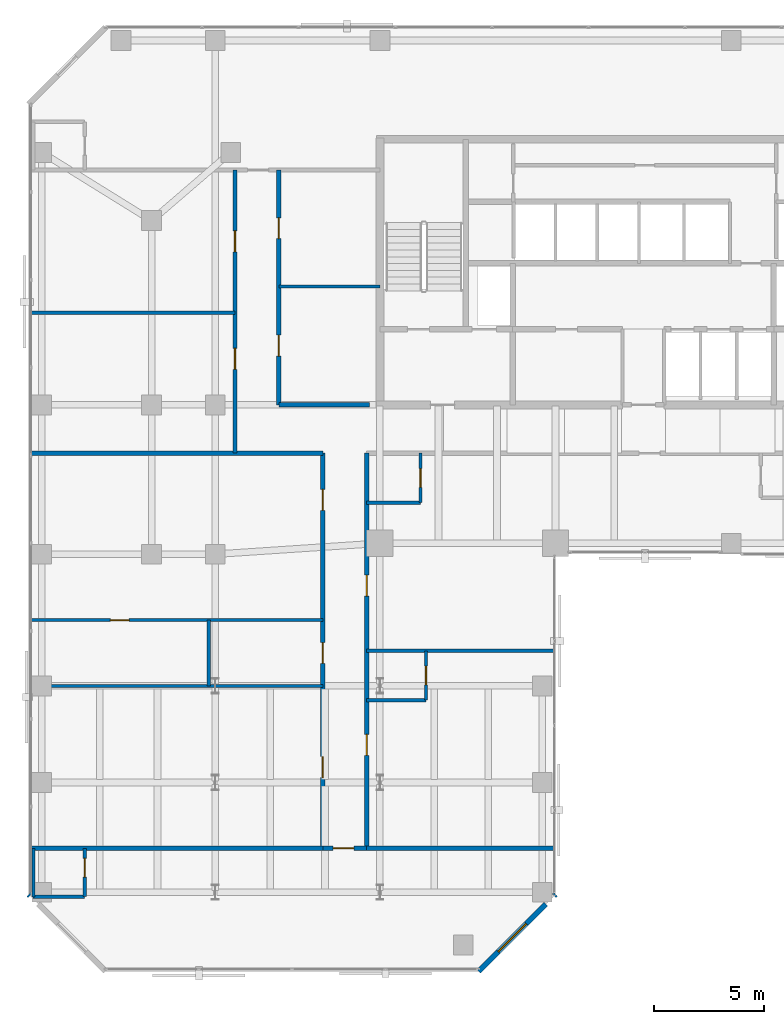
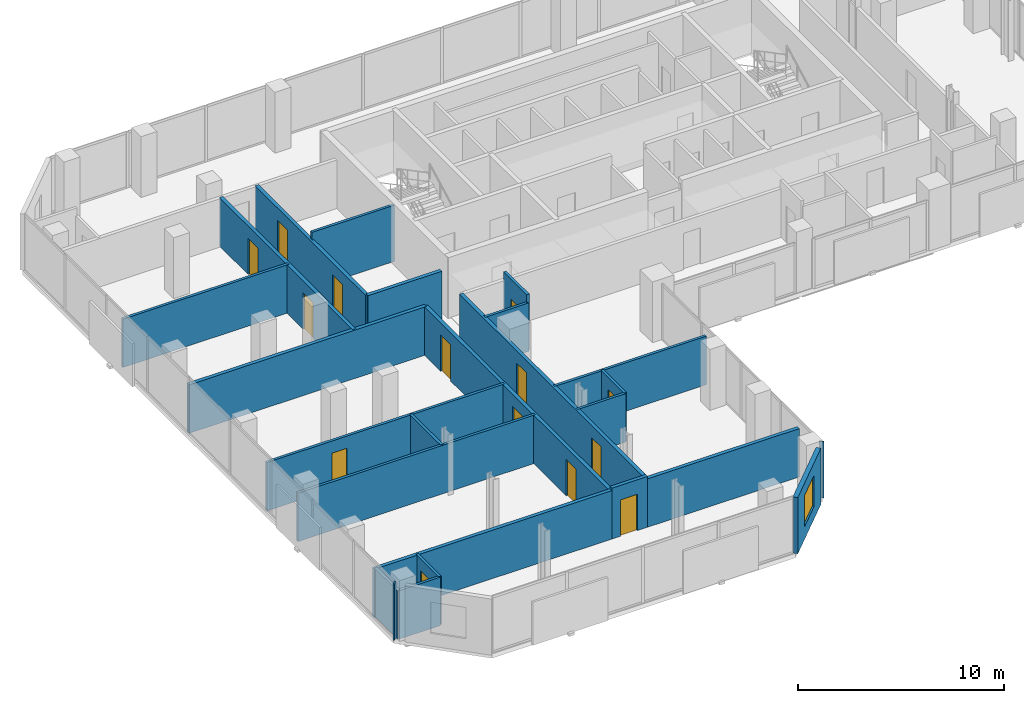
# One storey, part 28 of 33: 25 walls, 14 doors, 1 window, 15 openings.
"""IFC4 building model written with IfcOpenShell, lengths in metres."""

from ifc_helpers import new_model, si_unit, direction, frame, frame_2d, origin, place, context, subcontext, project, spatial, rectangle, extrude, material, layer, layer_set, type_object, element, fill, save


model = new_model("IFC4")

# Units and contexts
model_context = context("Model", 3, precision=1e-05, world=origin(), true_north=direction((0.0, 1.0)))
body_context = subcontext(model_context, "Body", "Model", "MODEL_VIEW")
ifc_project = project(units=[si_unit("LENGTHUNIT", "METRE"), si_unit("AREAUNIT", "SQUARE_METRE"), si_unit("VOLUMEUNIT", "CUBIC_METRE"), si_unit("PLANEANGLEUNIT", "RADIAN"), si_unit("MASSUNIT", "GRAM", prefix="KILO")], contexts=[model_context])

# Site, building, storey
site_placement = place(None, origin())
site = spatial("IfcSite", under=ifc_project, at=site_placement, CompositionType="ELEMENT")
building_placement = place(site_placement, origin())
building = spatial("IfcBuilding", under=site, at=building_placement, Name="Catumbela Crestline Tower", CompositionType="ELEMENT")
storey_placement = place(building_placement, frame((0.0, 0.0, 108.0)))
storey = spatial("IfcBuildingStorey", under=building, at=storey_placement, Name="L27", CompositionType="ELEMENT", Elevation=108.0)

# Walls
ifc_material_1 = material(Name="Acoustic gypsum and mineral-wool partition")
ifc_layer_1 = layer(ifc_material_1, 0.2, Name="Acoustic gypsum and mineral-wool partition")
ifc_layer_set_1 = layer_set([ifc_layer_1], Name="Acoustic gypsum and mineral-wool partition")
wall_type_1 = type_object("IfcWallType", Name="WC-200", PredefinedType="PARTITIONING", material=ifc_layer_set_1)
wall_1_placement = place(storey_placement, frame((0.1, 28.6, 0.0), z_axis=(0.0, 0.0, 1.0), x_axis=(1.0, 0.0, 0.0)))
element("IfcWall", 1, at=wall_1_placement, inside=storey, type_object=wall_type_1, Name="L27 Interior Partition PW-L27-Z2CW-N1", PredefinedType="PARTITIONING", context=body_context, shape_type="SweptSolid", body=[
    extrude(rectangle(XDim=13.3, YDim=0.2, at=frame_2d((6.65, 0.0))), origin(), (0.0, 0.0, 1.0), 2.87),
])
wall_2_placement = place(storey_placement, frame((11.4, 30.8, 0.0), z_axis=(0.0, 0.0, 1.0), x_axis=(1.0, 0.0, 0.0)))
element("IfcWall", 2, at=wall_2_placement, inside=storey, type_object=wall_type_1, Name="L27 Interior Partition PW-L27-Z2CW-N3", PredefinedType="PARTITIONING", context=body_context, shape_type="SweptSolid", body=[
    extrude(rectangle(XDim=4.13, YDim=0.2, at=frame_2d((2.065, 0.0))), origin(), (0.0, 0.0, 1.0), 2.87),
])

# Wall, openings, doors
wall_3_placement = place(storey_placement, frame((13.4, 10.6, 0.0), z_axis=(0.0, 0.0, 1.0), x_axis=(0.0, 1.0, 0.0)))
wall_3 = element("IfcWall", 3, at=wall_3_placement, inside=storey, type_object=wall_type_1, Name="L27 Interior Partition PW-L27-STWC-ENT", PredefinedType="PARTITIONING", context=body_context, shape_type="SweptSolid", body=[
    extrude(rectangle(XDim=18.0, YDim=0.2, at=frame_2d((9.0, 0.0))), origin(), (0.0, 0.0, 1.0), 2.87),
])
opening_1_placement = place(wall_3_placement, frame((8.425, 0.0, 0.0)))
opening_1 = element("IfcOpeningElement", 4, at=opening_1_placement, cuts=wall_3, Name="Opening DF6-095", PredefinedType="OPENING", context=body_context, shape_type="SweptSolid", body=[
    extrude(rectangle(XDim=0.95, YDim=2.15, at=frame_2d((0.475, 1.075))), frame((0.0, 0.11, 0.0), z_axis=(0.0, -1.0, 0.0), x_axis=(1.0, 0.0, 0.0)), (0.0, 0.0, 1.0), 0.22),
])
opening_2_placement = place(wall_3_placement, frame((15.3987, 0.0, 0.0)))
opening_2 = element("IfcOpeningElement", 5, at=opening_2_placement, cuts=wall_3, Name="Opening DF6-095", PredefinedType="OPENING", context=body_context, shape_type="SweptSolid", body=[
    extrude(rectangle(XDim=0.95, YDim=2.15, at=frame_2d((0.475, 1.075))), frame((0.0, 0.11, 0.0), z_axis=(0.0, -1.0, 0.0), x_axis=(1.0, 0.0, 0.0)), (0.0, 0.0, 1.0), 0.22),
])
opening_3_placement = place(wall_3_placement, frame((3.225, 0.0, 0.0)))
opening_3 = element("IfcOpeningElement", 6, at=opening_3_placement, cuts=wall_3, Name="Opening DF6-095", PredefinedType="OPENING", context=body_context, shape_type="SweptSolid", body=[
    extrude(rectangle(XDim=0.95, YDim=2.15, at=frame_2d((0.475, 1.075))), frame((0.0, 0.11, 0.0), z_axis=(0.0, -1.0, 0.0), x_axis=(1.0, 0.0, 0.0)), (0.0, 0.0, 1.0), 0.22),
])
ifc_material_2 = material(Name="Aluminium alloy AW-6060-T66", Category="aluminium")
door_type_1 = type_object("IfcDoorType", Name="DF6-095", OperationType="NOTDEFINED", PredefinedType="DOOR", material=ifc_material_2)
door_1_placement = place(opening_1_placement, origin())
door_1 = element("IfcDoor", 7, at=door_1_placement, inside=storey, type_object=door_type_1, Name="L27 Interior Door DR-L27-STWC-ENT", OperationType="SINGLE_SWING_RIGHT", OverallHeight=2.15, OverallWidth=0.95, PredefinedType="DOOR", context=body_context, shape_type="SweptSolid", body=[
    extrude(rectangle(XDim=0.95, YDim=2.15, at=frame_2d((0.475, 1.075))), frame((0.0, 0.025, 0.0), z_axis=(0.0, -1.0, 0.0), x_axis=(1.0, 0.0, 0.0)), (0.0, 0.0, 1.0), 0.05),
])
fill(opening_1, door_1)
door_2_placement = place(opening_2_placement, origin())
door_2 = element("IfcDoor", 8, at=door_2_placement, inside=storey, type_object=door_type_1, Name="L27 Interior Door DR-L27-HKP-ENT", OperationType="SINGLE_SWING_RIGHT", OverallHeight=2.15, OverallWidth=0.95, PredefinedType="DOOR", context=body_context, shape_type="SweptSolid", body=[
    extrude(rectangle(XDim=0.95, YDim=2.15, at=frame_2d((0.475, 1.075))), frame((0.0, 0.025, 0.0), z_axis=(0.0, -1.0, 0.0), x_axis=(1.0, 0.0, 0.0)), (0.0, 0.0, 1.0), 0.05),
])
fill(opening_2, door_2)
door_3_placement = place(opening_3_placement, origin())
door_3 = element("IfcDoor", 9, at=door_3_placement, inside=storey, type_object=door_type_1, Name="L27 Interior Door DR-L27-WEXT-ENT", OperationType="SINGLE_SWING_LEFT", OverallHeight=2.15, OverallWidth=0.95, PredefinedType="DOOR", context=body_context, shape_type="SweptSolid", body=[
    extrude(rectangle(XDim=0.95, YDim=2.15, at=frame_2d((0.475, 1.075))), frame((0.0, 0.025, 0.0), z_axis=(0.0, -1.0, 0.0), x_axis=(1.0, 0.0, 0.0)), (0.0, 0.0, 1.0), 0.05),
])
fill(opening_3, door_3)

wall_4_placement = place(storey_placement, frame((9.4, 28.6, 0.0), z_axis=(0.0, 0.0, 1.0), x_axis=(0.0, 1.0, 0.0)))
wall_4 = element("IfcWall", 10, at=wall_4_placement, inside=storey, type_object=wall_type_1, Name="L27 Interior Partition PW-L27-Z2OF1-ENT", PredefinedType="PARTITIONING", context=body_context, shape_type="SweptSolid", body=[
    extrude(rectangle(XDim=12.9, YDim=0.2, at=frame_2d((6.45, 0.0))), origin(), (0.0, 0.0, 1.0), 2.87),
])
opening_4_placement = place(wall_4_placement, frame((3.825, 0.0, 0.0)))
opening_4 = element("IfcOpeningElement", 11, at=opening_4_placement, cuts=wall_4, Name="Opening DF6-095", PredefinedType="OPENING", context=body_context, shape_type="SweptSolid", body=[
    extrude(rectangle(XDim=0.95, YDim=2.15, at=frame_2d((0.475, 1.075))), frame((0.0, 0.11, 0.0), z_axis=(0.0, -1.0, 0.0), x_axis=(1.0, 0.0, 0.0)), (0.0, 0.0, 1.0), 0.22),
])
opening_5_placement = place(wall_4_placement, frame((9.175, 0.0, 0.0)))
opening_5 = element("IfcOpeningElement", 12, at=opening_5_placement, cuts=wall_4, Name="Opening DF6-095", PredefinedType="OPENING", context=body_context, shape_type="SweptSolid", body=[
    extrude(rectangle(XDim=0.95, YDim=2.15, at=frame_2d((0.475, 1.075))), frame((0.0, 0.11, 0.0), z_axis=(0.0, -1.0, 0.0), x_axis=(1.0, 0.0, 0.0)), (0.0, 0.0, 1.0), 0.22),
])
door_4_placement = place(opening_4_placement, origin())
door_4 = element("IfcDoor", 13, at=door_4_placement, inside=storey, type_object=door_type_1, Name="L27 Interior Door DR-L27-Z2OF1-ENT", OperationType="SINGLE_SWING_LEFT", OverallHeight=2.15, OverallWidth=0.95, PredefinedType="DOOR", context=body_context, shape_type="SweptSolid", body=[
    extrude(rectangle(XDim=0.95, YDim=2.15, at=frame_2d((0.475, 1.075))), frame((0.0, 0.025, 0.0), z_axis=(0.0, -1.0, 0.0), x_axis=(1.0, 0.0, 0.0)), (0.0, 0.0, 1.0), 0.05),
])
fill(opening_4, door_4)
door_5_placement = place(opening_5_placement, origin())
door_5 = element("IfcDoor", 14, at=door_5_placement, inside=storey, type_object=door_type_1, Name="L27 Interior Door DR-L27-Z2OF2-ENT", OperationType="SINGLE_SWING_RIGHT", OverallHeight=2.15, OverallWidth=0.95, PredefinedType="DOOR", context=body_context, shape_type="SweptSolid", body=[
    extrude(rectangle(XDim=0.95, YDim=2.15, at=frame_2d((0.475, 1.075))), frame((0.0, 0.025, 0.0), z_axis=(0.0, -1.0, 0.0), x_axis=(1.0, 0.0, 0.0)), (0.0, 0.0, 1.0), 0.05),
])
fill(opening_5, door_5)

wall_5_placement = place(storey_placement, frame((11.4, 30.8, 0.0), z_axis=(0.0, 0.0, 1.0), x_axis=(0.0, 1.0, 0.0)))
wall_5 = element("IfcWall", 15, at=wall_5_placement, inside=storey, type_object=wall_type_1, Name="L27 Interior Partition PW-L27-Z2MT1-ENT", PredefinedType="PARTITIONING", context=body_context, shape_type="SweptSolid", body=[
    extrude(rectangle(XDim=10.7, YDim=0.2, at=frame_2d((5.35, 0.0))), origin(), (0.0, 0.0, 1.0), 2.87),
])
opening_6_placement = place(wall_5_placement, frame((2.225, 0.0, 0.0)))
opening_6 = element("IfcOpeningElement", 16, at=opening_6_placement, cuts=wall_5, Name="Opening DF6-095", PredefinedType="OPENING", context=body_context, shape_type="SweptSolid", body=[
    extrude(rectangle(XDim=0.95, YDim=2.15, at=frame_2d((0.475, 1.075))), frame((0.0, 0.11, 0.0), z_axis=(0.0, -1.0, 0.0), x_axis=(1.0, 0.0, 0.0)), (0.0, 0.0, 1.0), 0.22),
])
opening_7_placement = place(wall_5_placement, frame((7.575, 0.0, 0.0)))
opening_7 = element("IfcOpeningElement", 17, at=opening_7_placement, cuts=wall_5, Name="Opening DF6-095", PredefinedType="OPENING", context=body_context, shape_type="SweptSolid", body=[
    extrude(rectangle(XDim=0.95, YDim=2.15, at=frame_2d((0.475, 1.075))), frame((0.0, 0.11, 0.0), z_axis=(0.0, -1.0, 0.0), x_axis=(1.0, 0.0, 0.0)), (0.0, 0.0, 1.0), 0.22),
])
door_6_placement = place(opening_6_placement, origin())
door_6 = element("IfcDoor", 18, at=door_6_placement, inside=storey, type_object=door_type_1, Name="L27 Interior Door DR-L27-Z2MT1-ENT", OperationType="SINGLE_SWING_LEFT", OverallHeight=2.15, OverallWidth=0.95, PredefinedType="DOOR", context=body_context, shape_type="SweptSolid", body=[
    extrude(rectangle(XDim=0.95, YDim=2.15, at=frame_2d((0.475, 1.075))), frame((0.0, 0.025, 0.0), z_axis=(0.0, -1.0, 0.0), x_axis=(1.0, 0.0, 0.0)), (0.0, 0.0, 1.0), 0.05),
])
fill(opening_6, door_6)
door_7_placement = place(opening_7_placement, origin())
door_7 = element("IfcDoor", 19, at=door_7_placement, inside=storey, type_object=door_type_1, Name="L27 Interior Door DR-L27-Z2MT2-ENT", OperationType="SINGLE_SWING_RIGHT", OverallHeight=2.15, OverallWidth=0.95, PredefinedType="DOOR", context=body_context, shape_type="SweptSolid", body=[
    extrude(rectangle(XDim=0.95, YDim=2.15, at=frame_2d((0.475, 1.075))), frame((0.0, 0.025, 0.0), z_axis=(0.0, -1.0, 0.0), x_axis=(1.0, 0.0, 0.0)), (0.0, 0.0, 1.0), 0.05),
])
fill(opening_7, door_7)

# Wall, opening, door
wall_6_placement = place(storey_placement, frame((13.4, 10.6, 0.0), z_axis=(0.0, 0.0, 1.0), x_axis=(1.0, 0.0, 0.0)))
wall_6 = element("IfcWall", 20, at=wall_6_placement, inside=storey, type_object=wall_type_1, Name="L27 Interior Partition PW-L27-STIP-ENT", PredefinedType="PARTITIONING", context=body_context, shape_type="SweptSolid", body=[
    extrude(rectangle(XDim=2.0, YDim=0.2, at=frame_2d((1.0, 0.0))), origin(), (0.0, 0.0, 1.0), 3.01),
])
opening_8_placement = place(wall_6_placement, frame((0.468, 0.0, 0.0)))
opening_8 = element("IfcOpeningElement", 21, at=opening_8_placement, cuts=wall_6, Name="Opening DF6-095", PredefinedType="OPENING", context=body_context, shape_type="SweptSolid", body=[
    extrude(rectangle(XDim=0.95, YDim=2.15, at=frame_2d((0.475, 1.075))), frame((0.0, 0.11, 0.0), z_axis=(0.0, -1.0, 0.0), x_axis=(1.0, 0.0, 0.0)), (0.0, 0.0, 1.0), 0.22),
])
door_8_placement = place(opening_8_placement, origin())
door_8 = element("IfcDoor", 22, at=door_8_placement, inside=storey, type_object=door_type_1, Name="L27 Interior Door DR-L27-STIP-ENT", OperationType="SINGLE_SWING_LEFT", OverallHeight=2.15, OverallWidth=0.95, PredefinedType="DOOR", context=body_context, shape_type="SweptSolid", body=[
    extrude(rectangle(XDim=0.95, YDim=2.15, at=frame_2d((0.475, 1.075))), frame((0.0, 0.025, 0.0), z_axis=(0.0, -1.0, 0.0), x_axis=(1.0, 0.0, 0.0)), (0.0, 0.0, 1.0), 0.05),
])
fill(opening_8, door_8)

# Wall, openings, doors
wall_7_placement = place(storey_placement, frame((15.4, 10.6, 0.0), z_axis=(0.0, 0.0, 1.0), x_axis=(0.0, 1.0, 0.0)))
wall_7 = element("IfcWall", 23, at=wall_7_placement, inside=storey, type_object=wall_type_1, Name="L27 Interior Partition PW-L27-SW1-ENT", PredefinedType="PARTITIONING", context=body_context, shape_type="SweptSolid", body=[
    extrude(rectangle(XDim=18.0, YDim=0.2, at=frame_2d((9.0, 0.0))), origin(), (0.0, 0.0, 1.0), 2.87),
])
opening_9_placement = place(wall_7_placement, frame((4.24, 0.0, 0.0)))
opening_9 = element("IfcOpeningElement", 24, at=opening_9_placement, cuts=wall_7, Name="Opening DF6-095", PredefinedType="OPENING", context=body_context, shape_type="SweptSolid", body=[
    extrude(rectangle(XDim=0.95, YDim=2.15, at=frame_2d((0.475, 1.075))), frame((0.0, 0.11, 0.0), z_axis=(0.0, -1.0, 0.0), x_axis=(1.0, 0.0, 0.0)), (0.0, 0.0, 1.0), 0.22),
])
opening_10_placement = place(wall_7_placement, frame((11.4941, 0.0, 0.0)))
opening_10 = element("IfcOpeningElement", 25, at=opening_10_placement, cuts=wall_7, Name="Opening DF6-095", PredefinedType="OPENING", context=body_context, shape_type="SweptSolid", body=[
    extrude(rectangle(XDim=0.95, YDim=2.15, at=frame_2d((0.475, 1.075))), frame((0.0, 0.11, 0.0), z_axis=(0.0, -1.0, 0.0), x_axis=(1.0, 0.0, 0.0)), (0.0, 0.0, 1.0), 0.22),
])
door_9_placement = place(opening_9_placement, origin())
door_9 = element("IfcDoor", 26, at=door_9_placement, inside=storey, type_object=door_type_1, Name="L27 Interior Door DR-L27-SW1-ENT", OperationType="SINGLE_SWING_RIGHT", OverallHeight=2.15, OverallWidth=0.95, PredefinedType="DOOR", context=body_context, shape_type="SweptSolid", body=[
    extrude(rectangle(XDim=0.95, YDim=2.15, at=frame_2d((0.475, 1.075))), frame((0.0, 0.025, 0.0), z_axis=(0.0, -1.0, 0.0), x_axis=(1.0, 0.0, 0.0)), (0.0, 0.0, 1.0), 0.05),
])
fill(opening_9, door_9)
door_10_placement = place(opening_10_placement, origin())
door_10 = element("IfcDoor", 27, at=door_10_placement, inside=storey, type_object=door_type_1, Name="L27 Interior Door DR-L27-SW2-ENT", OperationType="SINGLE_SWING_LEFT", OverallHeight=2.15, OverallWidth=0.95, PredefinedType="DOOR", context=body_context, shape_type="SweptSolid", body=[
    extrude(rectangle(XDim=0.95, YDim=2.15, at=frame_2d((0.475, 1.075))), frame((0.0, 0.025, 0.0), z_axis=(0.0, -1.0, 0.0), x_axis=(1.0, 0.0, 0.0)), (0.0, 0.0, 1.0), 0.05),
])
fill(opening_10, door_10)

# Wall, opening, window
ifc_material_3 = material(Name="Angolan grey-ochre granite", Category="masonry")
ifc_layer_2 = layer(ifc_material_3, 0.25, Name="Angolan grey-ochre granite")
ifc_layer_set_2 = layer_set([ifc_layer_2], Name="Angolan grey-ochre granite")
wall_type_2 = type_object("IfcWallType", Name="WE-250", PredefinedType="STANDARD", material=ifc_layer_set_2)
wall_8_placement = place(storey_placement, frame((20.5, 5.0, 0.0), z_axis=(0.0, 0.0, 1.0), x_axis=(0.707106781187, 0.707106781187, 0.0)))
wall_8 = element("IfcWall", 28, at=wall_8_placement, inside=storey, type_object=wall_type_2, Name="L27 Granite Punched Window Wall 1-1", PredefinedType="STANDARD", context=body_context, shape_type="SweptSolid", body=[
    extrude(rectangle(XDim=4.3298, YDim=0.25, at=frame_2d((2.1649, 0.0))), origin(), (0.0, 0.0, 1.0), 3.33),
])
opening_11_placement = place(wall_8_placement, frame((1.2649, 0.0, 0.75)))
opening_11 = element("IfcOpeningElement", 29, at=opening_11_placement, cuts=wall_8, Name="Opening WN-01", PredefinedType="OPENING", context=body_context, shape_type="SweptSolid", body=[
    extrude(rectangle(XDim=1.8, YDim=1.85, at=frame_2d((0.9, 0.925))), frame((0.0, 0.135, 0.0), z_axis=(0.0, -1.0, 0.0), x_axis=(1.0, 0.0, 0.0)), (0.0, 0.0, 1.0), 0.27),
])
ifc_material_4 = material(Name="Low-E laminated solar-control double glazing", Category="glass")
window_type = type_object("IfcWindowType", Name="WF-1800", PartitioningType="SINGLE_PANEL", PredefinedType="WINDOW", material=ifc_material_4)
window_placement = place(opening_11_placement, origin())
window = element("IfcWindow", 30, at=window_placement, inside=storey, type_object=window_type, Name="L27 Facade Vision Window 155", OverallHeight=1.85, OverallWidth=1.8, PartitioningType="SINGLE_PANEL", PredefinedType="WINDOW", context=body_context, shape_type="SweptSolid", body=[
    extrude(rectangle(XDim=1.8, YDim=1.85, at=frame_2d((0.9, 0.925))), frame((0.0, 0.03, 0.0), z_axis=(0.0, -1.0, 0.0), x_axis=(1.0, 0.0, 0.0)), (0.0, 0.0, 1.0), 0.06),
])
fill(opening_11, window)

# Walls
for number, where, z_axis, x_axis, name in (
    (31, (23.9384, 8.4384, 0.0), (0.0, 0.0, 1.0), (0.707106781187, 0.707106781187, 0.0), "L27 Granite Punched Window Wall 1-2"),
    (32, (0.0, 8.5, 0.0), (0.0, 0.0, 1.0), (0.707106781187, -0.707106781187, 0.0), "L27 Granite Punched Window Wall 10-1"),
):
    element("IfcWall", number, at=place(storey_placement, frame(where, z_axis=z_axis, x_axis=x_axis)), inside=storey, type_object=wall_type_2, Name=name, PredefinedType="STANDARD", context=body_context, shape_type="SweptSolid", body=[
        extrude(rectangle(XDim=0.0871, YDim=0.25, at=frame_2d((0.0436, 0.0))), origin(), (0.0, 0.0, 1.0), 3.33),
    ])
ifc_layer_3 = layer(ifc_material_1, 0.15, Name="Acoustic gypsum and mineral-wool partition")
ifc_layer_set_3 = layer_set([ifc_layer_3], Name="Acoustic gypsum and mineral-wool partition")
wall_type_3 = type_object("IfcWallType", Name="WP-150", PredefinedType="PARTITIONING", material=ifc_layer_set_3)
wall_9_placement = place(storey_placement, frame((0.1, 18.0, 0.0), z_axis=(0.0, 0.0, 1.0), x_axis=(1.0, 0.0, 0.0)))
element("IfcWall", 33, at=wall_9_placement, inside=storey, type_object=wall_type_3, Name="L27 Interior Partition PW-L27-Z2W-1", PredefinedType="PARTITIONING", context=body_context, shape_type="SweptSolid", body=[
    extrude(rectangle(XDim=13.3, YDim=0.15, at=frame_2d((6.65, 0.0))), origin(), (0.0, 0.0, 1.0), 2.87),
])

# Wall, opening, door
wall_10_placement = place(storey_placement, frame((0.1, 21.0, 0.0), z_axis=(0.0, 0.0, 1.0), x_axis=(1.0, 0.0, 0.0)))
wall_10 = element("IfcWall", 34, at=wall_10_placement, inside=storey, type_object=wall_type_3, Name="L27 Interior Partition PW-L27-Z2W-2", PredefinedType="PARTITIONING", context=body_context, shape_type="SweptSolid", body=[
    extrude(rectangle(XDim=13.3, YDim=0.15, at=frame_2d((6.65, 0.0))), origin(), (0.0, 0.0, 1.0), 2.87),
])
opening_12_placement = place(wall_10_placement, frame((3.625, 0.0, 0.0)))
opening_12 = element("IfcOpeningElement", 35, at=opening_12_placement, cuts=wall_10, Name="Opening DI-085", PredefinedType="OPENING", context=body_context, shape_type="SweptSolid", body=[
    extrude(rectangle(XDim=0.85, YDim=2.15, at=frame_2d((0.425, 1.075))), frame((0.0, 0.085, 0.0), z_axis=(0.0, -1.0, 0.0), x_axis=(1.0, 0.0, 0.0)), (0.0, 0.0, 1.0), 0.17),
])
door_type_2 = type_object("IfcDoorType", Name="DI-085", OperationType="NOTDEFINED", PredefinedType="DOOR", material=ifc_material_2)
door_11_placement = place(opening_12_placement, origin())
door_11 = element("IfcDoor", 36, at=door_11_placement, inside=storey, type_object=door_type_2, Name="L27 Interior Door DR-L27-STSTO", OperationType="SINGLE_SWING_LEFT", OverallHeight=2.15, OverallWidth=0.85, PredefinedType="DOOR", context=body_context, shape_type="SweptSolid", body=[
    extrude(rectangle(XDim=0.85, YDim=2.15, at=frame_2d((0.425, 1.075))), frame((0.0, 0.025, 0.0), z_axis=(0.0, -1.0, 0.0), x_axis=(1.0, 0.0, 0.0)), (0.0, 0.0, 1.0), 0.05),
])
fill(opening_12, door_11)

# Walls
wall_11_placement = place(storey_placement, frame((8.2, 18.0, 0.0), z_axis=(0.0, 0.0, 1.0), x_axis=(0.0, 1.0, 0.0)))
element("IfcWall", 37, at=wall_11_placement, inside=storey, type_object=wall_type_3, Name="L27 Interior Partition PW-L27-Z2W-WCX", PredefinedType="PARTITIONING", context=body_context, shape_type="SweptSolid", body=[
    extrude(rectangle(XDim=3.0, YDim=0.15, at=frame_2d((1.5, 0.0))), origin(), (0.0, 0.0, 1.0), 2.87),
])
wall_12_placement = place(storey_placement, frame((0.1, 35.0, 0.0), z_axis=(0.0, 0.0, 1.0), x_axis=(1.0, 0.0, 0.0)))
element("IfcWall", 38, at=wall_12_placement, inside=storey, type_object=wall_type_3, Name="L27 Interior Partition PW-L27-Z2G1-1", PredefinedType="PARTITIONING", context=body_context, shape_type="SweptSolid", body=[
    extrude(rectangle(XDim=9.3, YDim=0.15, at=frame_2d((4.65, 0.0))), origin(), (0.0, 0.0, 1.0), 2.87),
])
wall_13_placement = place(storey_placement, frame((11.4, 36.2, 0.0), z_axis=(0.0, 0.0, 1.0), x_axis=(1.0, 0.0, 0.0)))
element("IfcWall", 39, at=wall_13_placement, inside=storey, type_object=wall_type_3, Name="L27 Interior Partition PW-L27-Z2G1-2", PredefinedType="PARTITIONING", context=body_context, shape_type="SweptSolid", body=[
    extrude(rectangle(XDim=4.6, YDim=0.15, at=frame_2d((2.3, 0.0))), origin(), (0.0, 0.0, 1.0), 3.33),
])
wall_14_placement = place(storey_placement, frame((0.2, 8.4, 0.0), z_axis=(0.0, 0.0, 1.0), x_axis=(1.0, 0.0, 0.0)))
element("IfcWall", 40, at=wall_14_placement, inside=storey, type_object=wall_type_3, Name="L27 Interior Partition PW-L27-STIP-BHW", PredefinedType="PARTITIONING", context=body_context, shape_type="SweptSolid", body=[
    extrude(rectangle(XDim=2.35, YDim=0.15, at=frame_2d((1.175, 0.0))), origin(), (0.0, 0.0, 1.0), 2.87),
])

# Wall, opening, door
wall_15_placement = place(storey_placement, frame((2.55, 8.4, 0.0), z_axis=(0.0, 0.0, 1.0), x_axis=(0.0, 1.0, 0.0)))
wall_15 = element("IfcWall", 41, at=wall_15_placement, inside=storey, type_object=wall_type_3, Name="L27 Interior Partition PW-L27-STIP-BEW", PredefinedType="PARTITIONING", context=body_context, shape_type="SweptSolid", body=[
    extrude(rectangle(XDim=2.2, YDim=0.15, at=frame_2d((1.1, 0.0))), origin(), (0.0, 0.0, 1.0), 2.87),
])
opening_13_placement = place(wall_15_placement, frame((0.8925, 0.0, 0.0)))
opening_13 = element("IfcOpeningElement", 42, at=opening_13_placement, cuts=wall_15, Name="Opening DI-085", PredefinedType="OPENING", context=body_context, shape_type="SweptSolid", body=[
    extrude(rectangle(XDim=0.85, YDim=2.15, at=frame_2d((0.425, 1.075))), frame((0.0, 0.085, 0.0), z_axis=(0.0, -1.0, 0.0), x_axis=(1.0, 0.0, 0.0)), (0.0, 0.0, 1.0), 0.17),
])
door_12_placement = place(opening_13_placement, origin())
door_12 = element("IfcDoor", 43, at=door_12_placement, inside=storey, type_object=door_type_2, Name="L27 Interior Door DR-L27-STIP-BTH", OperationType="SINGLE_SWING_LEFT", OverallHeight=2.15, OverallWidth=0.85, PredefinedType="DOOR", context=body_context, shape_type="SweptSolid", body=[
    extrude(rectangle(XDim=0.85, YDim=2.15, at=frame_2d((0.425, 1.075))), frame((0.0, 0.025, 0.0), z_axis=(0.0, -1.0, 0.0), x_axis=(1.0, 0.0, 0.0)), (0.0, 0.0, 1.0), 0.05),
])
fill(opening_13, door_12)

# Walls
wall_16_placement = place(storey_placement, frame((0.22, 8.38, 0.0), z_axis=(0.0, 0.0, 1.0), x_axis=(0.0, 1.0, 0.0)))
element("IfcWall", 44, at=wall_16_placement, inside=storey, type_object=wall_type_3, Name="L27 Interior Partition PW-L27-STIP-BCL-3", PredefinedType="PARTITIONING", context=body_context, shape_type="SweptSolid", body=[
    extrude(rectangle(XDim=2.22, YDim=0.15, at=frame_2d((1.11, 0.0))), origin(), (0.0, 0.0, 1.0), 2.87),
])
wall_17_placement = place(storey_placement, frame((15.4, 17.35, 0.0), z_axis=(0.0, 0.0, 1.0), x_axis=(1.0, 0.0, 0.0)))
element("IfcWall", 45, at=wall_17_placement, inside=storey, type_object=wall_type_3, Name="L27 Interior Partition PW-L27-SW1-BSW", PredefinedType="PARTITIONING", context=body_context, shape_type="SweptSolid", body=[
    extrude(rectangle(XDim=2.7, YDim=0.15, at=frame_2d((1.35, 0.0))), origin(), (0.0, 0.0, 1.0), 2.87),
])

# Wall, opening, door
wall_18_placement = place(storey_placement, frame((18.1, 17.35, 0.0), z_axis=(0.0, 0.0, 1.0), x_axis=(0.0, 1.0, 0.0)))
wall_18 = element("IfcWall", 46, at=wall_18_placement, inside=storey, type_object=wall_type_3, Name="L27 Interior Partition PW-L27-SW1-BEW", PredefinedType="PARTITIONING", context=body_context, shape_type="SweptSolid", body=[
    extrude(rectangle(XDim=2.25, YDim=0.15, at=frame_2d((1.125, 0.0))), origin(), (0.0, 0.0, 1.0), 2.87),
])
opening_14_placement = place(wall_18_placement, frame((0.7, 0.0, 0.0)))
opening_14 = element("IfcOpeningElement", 47, at=opening_14_placement, cuts=wall_18, Name="Opening DI-085", PredefinedType="OPENING", context=body_context, shape_type="SweptSolid", body=[
    extrude(rectangle(XDim=0.85, YDim=2.15, at=frame_2d((0.425, 1.075))), frame((0.0, 0.085, 0.0), z_axis=(0.0, -1.0, 0.0), x_axis=(1.0, 0.0, 0.0)), (0.0, 0.0, 1.0), 0.17),
])
door_13_placement = place(opening_14_placement, origin())
door_13 = element("IfcDoor", 48, at=door_13_placement, inside=storey, type_object=door_type_2, Name="L27 Interior Door DR-L27-SW1-BTH", OperationType="SINGLE_SWING_LEFT", OverallHeight=2.15, OverallWidth=0.85, PredefinedType="DOOR", context=body_context, shape_type="SweptSolid", body=[
    extrude(rectangle(XDim=0.85, YDim=2.15, at=frame_2d((0.425, 1.075))), frame((0.0, 0.025, 0.0), z_axis=(0.0, -1.0, 0.0), x_axis=(1.0, 0.0, 0.0)), (0.0, 0.0, 1.0), 0.05),
])
fill(opening_14, door_13)

# Walls
wall_19_placement = place(storey_placement, frame((15.4, 19.6, 0.0), z_axis=(0.0, 0.0, 1.0), x_axis=(1.0, 0.0, 0.0)))
element("IfcWall", 49, at=wall_19_placement, inside=storey, type_object=wall_type_3, Name="L27 Interior Partition PW-L27-SW1-BCL-1", PredefinedType="PARTITIONING", context=body_context, shape_type="SweptSolid", body=[
    extrude(rectangle(XDim=8.5, YDim=0.15, at=frame_2d((4.25, 0.0))), origin(), (0.0, 0.0, 1.0), 2.87),
])
wall_20_placement = place(storey_placement, frame((15.4, 26.35, 0.0), z_axis=(0.0, 0.0, 1.0), x_axis=(1.0, 0.0, 0.0)))
element("IfcWall", 50, at=wall_20_placement, inside=storey, type_object=wall_type_3, Name="L27 Interior Partition PW-L27-SW2-BSW", PredefinedType="PARTITIONING", context=body_context, shape_type="SweptSolid", body=[
    extrude(rectangle(XDim=2.45, YDim=0.15, at=frame_2d((1.225, 0.0))), origin(), (0.0, 0.0, 1.0), 2.87),
])

# Wall, opening, door
wall_21_placement = place(storey_placement, frame((17.85, 26.35, 0.0), z_axis=(0.0, 0.0, 1.0), x_axis=(0.0, 1.0, 0.0)))
wall_21 = element("IfcWall", 51, at=wall_21_placement, inside=storey, type_object=wall_type_3, Name="L27 Interior Partition PW-L27-SW2-BEW", PredefinedType="PARTITIONING", context=body_context, shape_type="SweptSolid", body=[
    extrude(rectangle(XDim=2.25, YDim=0.15, at=frame_2d((1.125, 0.0))), origin(), (0.0, 0.0, 1.0), 3.33),
])
opening_15_placement = place(wall_21_placement, frame((0.7, 0.0, 0.0)))
opening_15 = element("IfcOpeningElement", 52, at=opening_15_placement, cuts=wall_21, Name="Opening DI-085", PredefinedType="OPENING", context=body_context, shape_type="SweptSolid", body=[
    extrude(rectangle(XDim=0.85, YDim=2.15, at=frame_2d((0.425, 1.075))), frame((0.0, 0.085, 0.0), z_axis=(0.0, -1.0, 0.0), x_axis=(1.0, 0.0, 0.0)), (0.0, 0.0, 1.0), 0.17),
])
door_14_placement = place(opening_15_placement, origin())
door_14 = element("IfcDoor", 53, at=door_14_placement, inside=storey, type_object=door_type_2, Name="L27 Interior Door DR-L27-SW2-BTH", OperationType="SINGLE_SWING_LEFT", OverallHeight=2.15, OverallWidth=0.85, PredefinedType="DOOR", context=body_context, shape_type="SweptSolid", body=[
    extrude(rectangle(XDim=0.85, YDim=2.15, at=frame_2d((0.425, 1.075))), frame((0.0, 0.025, 0.0), z_axis=(0.0, -1.0, 0.0), x_axis=(1.0, 0.0, 0.0)), (0.0, 0.0, 1.0), 0.05),
])
fill(opening_15, door_14)

# Walls
ifc_layer_4 = layer(ifc_material_1, 0.2, Name="Acoustic gypsum and mineral-wool partition")
ifc_layer_set_4 = layer_set([ifc_layer_4], Name="Acoustic gypsum and mineral-wool partition")
wall_type_4 = type_object("IfcWallType", Name="WY-200", PredefinedType="PARTITIONING", material=ifc_layer_set_4)
wall_22_placement = place(storey_placement, frame((0.1, 10.6, 0.0), z_axis=(0.0, 0.0, 1.0), x_axis=(1.0, 0.0, 0.0)))
element("IfcWall", 54, at=wall_22_placement, inside=storey, type_object=wall_type_4, Name="L27 Interior Partition PW-L27-STIP-WL", PredefinedType="PARTITIONING", context=body_context, shape_type="SweptSolid", body=[
    extrude(rectangle(XDim=13.3, YDim=0.2, at=frame_2d((6.65, 0.0))), origin(), (0.0, 0.0, 1.0), 2.87),
])
wall_23_placement = place(storey_placement, frame((15.4, 10.6, 0.0), z_axis=(0.0, 0.0, 1.0), x_axis=(1.0, 0.0, 0.0)))
element("IfcWall", 55, at=wall_23_placement, inside=storey, type_object=wall_type_4, Name="L27 Interior Partition PW-L27-STIP-WR", PredefinedType="PARTITIONING", context=body_context, shape_type="SweptSolid", body=[
    extrude(rectangle(XDim=8.5, YDim=0.2, at=frame_2d((4.25, 0.0))), origin(), (0.0, 0.0, 1.0), 2.87),
])

save(model, "model.ifc")
